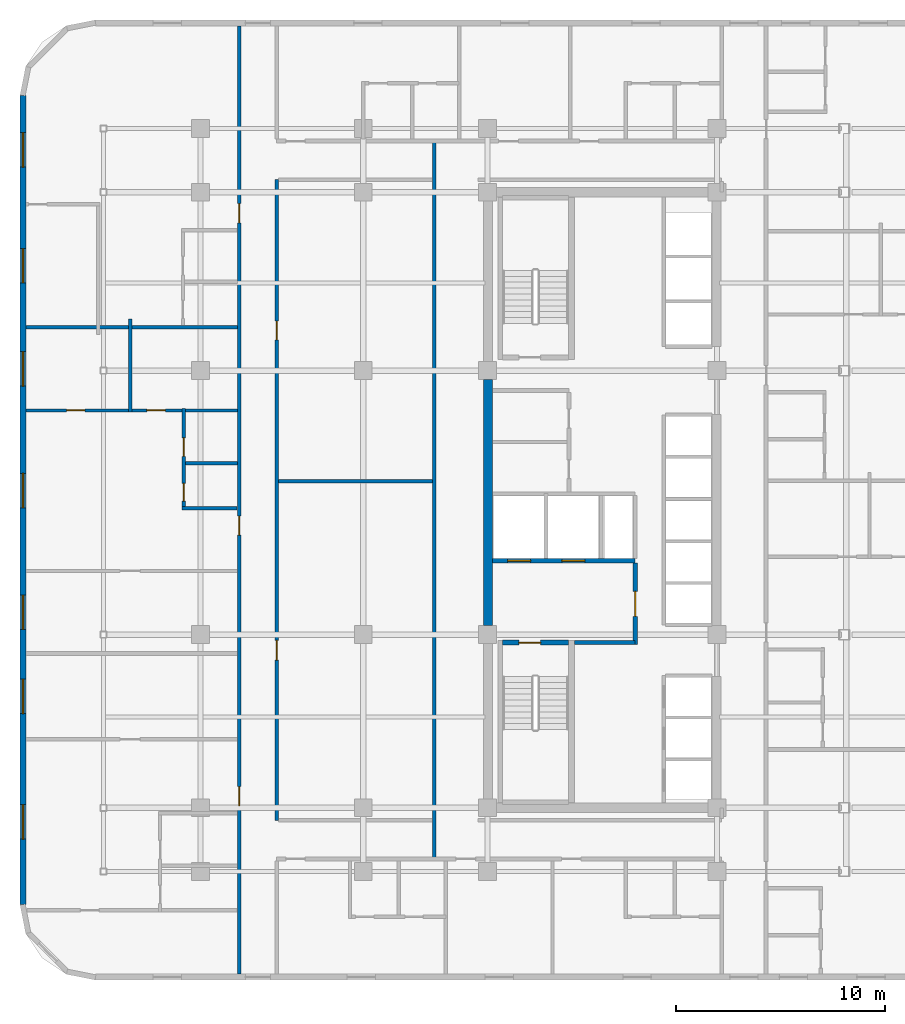
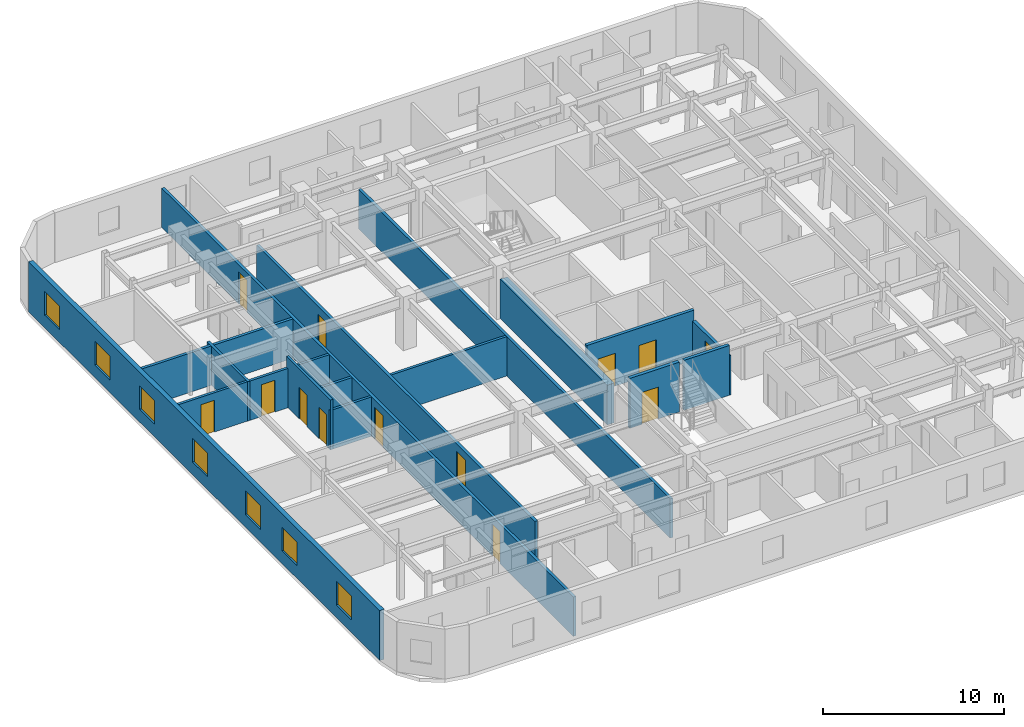
# One storey, part 7 of 12: 16 walls, 13 doors, 7 windows, 20 openings.
"""IFC4 building model written with IfcOpenShell, lengths in metres."""

from ifc_helpers import new_model, si_unit, direction, frame, frame_2d, origin, place, context, subcontext, project, spatial, rectangle, extrude, material, layer, layer_set, type_object, element, fill, save


model = new_model("IFC4")

# Units and contexts
model_context = context("Model", 3, precision=1e-05, world=origin(), true_north=direction((0.0, 1.0)))
body_context = subcontext(model_context, "Body", "Model", "MODEL_VIEW")
ifc_project = project(units=[si_unit("LENGTHUNIT", "METRE"), si_unit("AREAUNIT", "SQUARE_METRE"), si_unit("VOLUMEUNIT", "CUBIC_METRE"), si_unit("PLANEANGLEUNIT", "RADIAN"), si_unit("MASSUNIT", "GRAM", prefix="KILO")], contexts=[model_context])

# Site, building, storey
site_placement = place(None, origin())
site = spatial("IfcSite", under=ifc_project, at=site_placement, CompositionType="ELEMENT")
building_placement = place(site_placement, origin())
building = spatial("IfcBuilding", under=site, at=building_placement, Name="Ochreholt Gables", CompositionType="ELEMENT")
storey_placement = place(building_placement, frame((0.0, 0.0, 38.39990234375)))
storey = spatial("IfcBuildingStorey", under=building, at=storey_placement, Name="L09", CompositionType="ELEMENT", Elevation=38.39990234375)

# Wall
ifc_material_1 = material(Name="Concrete 60 MPa", Category="concrete")
ifc_layer_1 = layer(ifc_material_1, 0.449951171875, Name="Concrete 60 MPa")
ifc_layer_set_1 = layer_set([ifc_layer_1], Name="Concrete 60 MPa")
wall_type_1 = type_object("IfcWallType", Name="WALL-CSW-450", PredefinedType="SHEAR", material=ifc_layer_set_1)
wall_1_placement = place(storey_placement, frame((24.22509765625, 17.97509765625, 0.0), z_axis=(0.0, 0.0, 1.0), x_axis=(0.0, 1.0, 0.0)))
element("IfcWall", 1, at=wall_1_placement, inside=storey, type_object=wall_type_1, Name="L09 Core West Shear Wall WM", PredefinedType="SHEAR", context=body_context, shape_type="SweptSolid", body=[
    extrude(rectangle(XDim=11.7998046875, YDim=0.449951171875, at=frame_2d((5.89990234375, 0.0))), origin(), (0.0, 0.0, 1.0), 2.6669921875),
])

# Wall, openings, windows
ifc_material_2 = material(Name="Precast concrete 40 MPa", Category="concrete")
ifc_layer_2 = layer(ifc_material_2, 0.2900390625, Name="Precast concrete 40 MPa")
ifc_layer_set_2 = layer_set([ifc_layer_2], Name="Precast concrete 40 MPa")
wall_type_2 = type_object("IfcWallType", Name="WALL-EXT-290", PredefinedType="SOLIDWALL", material=ifc_layer_set_2)
wall_2_placement = place(storey_placement, frame((1.945068359375, 43.3798828125, 0.0), z_axis=(0.0, 0.0, 1.0), x_axis=(0.0, -1.0, 0.0)))
wall_2 = element("IfcWall", 2, at=wall_2_placement, inside=storey, type_object=wall_type_2, Name="L09 West Exterior Wall", PredefinedType="SOLIDWALL", context=body_context, shape_type="SweptSolid", body=[
    extrude(rectangle(XDim=38.759765625, YDim=0.2900390625, at=frame_2d((19.3798828125, 0.0))), origin(), (0.0, 0.0, 1.0), 3.360107421875),
])
opening_1_placement = place(wall_2_placement, frame((33.97509765625, 0.0, 0.85009765625)))
opening_1 = element("IfcOpeningElement", 3, at=opening_1_placement, cuts=wall_2, Name="Opening WN-7", PredefinedType="OPENING", context=body_context, shape_type="SweptSolid", body=[
    extrude(rectangle(XDim=1.64990234375, YDim=1.60009765625, at=frame_2d((0.824951171875, 0.800048828125))), frame((0.0, 0.155029296875, 0.0), z_axis=(0.0, -1.0, 0.0), x_axis=(1.0, 0.0, 0.0)), (0.0, 0.0, 1.0), 0.31005859375),
])
opening_2_placement = place(wall_2_placement, frame((27.965087890625, 0.0, 0.85009765625)))
opening_2 = element("IfcOpeningElement", 4, at=opening_2_placement, cuts=wall_2, Name="Opening WN-7", PredefinedType="OPENING", context=body_context, shape_type="SweptSolid", body=[
    extrude(rectangle(XDim=1.64990234375, YDim=1.60009765625, at=frame_2d((0.824951171875, 0.800048828125))), frame((0.0, 0.155029296875, 0.0), z_axis=(0.0, -1.0, 0.0), x_axis=(1.0, 0.0, 0.0)), (0.0, 0.0, 1.0), 0.31005859375),
])
opening_3_placement = place(wall_2_placement, frame((23.93408203125, 0.0, 0.85009765625)))
opening_3 = element("IfcOpeningElement", 5, at=opening_3_placement, cuts=wall_2, Name="Opening WN-7", PredefinedType="OPENING", context=body_context, shape_type="SweptSolid", body=[
    extrude(rectangle(XDim=1.64990234375, YDim=1.60009765625, at=frame_2d((0.824951171875, 0.800048828125))), frame((0.0, 0.155029296875, 0.0), z_axis=(0.0, -1.0, 0.0), x_axis=(1.0, 0.0, 0.0)), (0.0, 0.0, 1.0), 0.31005859375),
])
opening_4_placement = place(wall_2_placement, frame((18.109130859375, 0.0, 0.85009765625)))
opening_4 = element("IfcOpeningElement", 6, at=opening_4_placement, cuts=wall_2, Name="Opening WN-7", PredefinedType="OPENING", context=body_context, shape_type="SweptSolid", body=[
    extrude(rectangle(XDim=1.64990234375, YDim=1.60009765625, at=frame_2d((0.824951171875, 0.800048828125))), frame((0.0, 0.155029296875, 0.0), z_axis=(0.0, -1.0, 0.0), x_axis=(1.0, 0.0, 0.0)), (0.0, 0.0, 1.0), 0.31005859375),
])
opening_5_placement = place(wall_2_placement, frame((12.27001953125, 0.0, 0.85009765625)))
opening_5 = element("IfcOpeningElement", 7, at=opening_5_placement, cuts=wall_2, Name="Opening WN-7", PredefinedType="OPENING", context=body_context, shape_type="SweptSolid", body=[
    extrude(rectangle(XDim=1.64990234375, YDim=1.60009765625, at=frame_2d((0.824951171875, 0.800048828125))), frame((0.0, 0.155029296875, 0.0), z_axis=(0.0, -1.0, 0.0), x_axis=(1.0, 0.0, 0.0)), (0.0, 0.0, 1.0), 0.31005859375),
])
opening_6_placement = place(wall_2_placement, frame((7.330078125, 0.0, 0.85009765625)))
opening_6 = element("IfcOpeningElement", 8, at=opening_6_placement, cuts=wall_2, Name="Opening WN-7", PredefinedType="OPENING", context=body_context, shape_type="SweptSolid", body=[
    extrude(rectangle(XDim=1.64990234375, YDim=1.60009765625, at=frame_2d((0.824951171875, 0.800048828125))), frame((0.0, 0.155029296875, 0.0), z_axis=(0.0, -1.0, 0.0), x_axis=(1.0, 0.0, 0.0)), (0.0, 0.0, 1.0), 0.31005859375),
])
opening_7_placement = place(wall_2_placement, frame((1.780029296875, 0.0, 0.85009765625)))
opening_7 = element("IfcOpeningElement", 9, at=opening_7_placement, cuts=wall_2, Name="Opening WN-7", PredefinedType="OPENING", context=body_context, shape_type="SweptSolid", body=[
    extrude(rectangle(XDim=1.64990234375, YDim=1.60009765625, at=frame_2d((0.824951171875, 0.800048828125))), frame((0.0, 0.155029296875, 0.0), z_axis=(0.0, -1.0, 0.0), x_axis=(1.0, 0.0, 0.0)), (0.0, 0.0, 1.0), 0.31005859375),
])
ifc_material_3 = material(Name="Triple-Glazed Thermally Broken Aluminium Window", Category="aluminium")
window_type = type_object("IfcWindowType", Name="WIN-RES-1650", PartitioningType="SINGLE_PANEL", PredefinedType="WINDOW", material=ifc_material_3)
window_1_placement = place(opening_1_placement, origin())
window_1 = element("IfcWindow", 10, at=window_1_placement, inside=storey, type_object=window_type, Name="L09 Window W-EXT-W-L09-1", OverallHeight=1.60009765625, OverallWidth=1.64990234375, PartitioningType="SINGLE_PANEL", PredefinedType="WINDOW", context=body_context, shape_type="SweptSolid", body=[
    extrude(rectangle(XDim=1.64990234375, YDim=1.60009765625, at=frame_2d((0.824951171875, 0.800048828125))), frame((0.0, 0.030029296875, 0.0), z_axis=(0.0, -1.0, 0.0), x_axis=(1.0, 0.0, 0.0)), (0.0, 0.0, 1.0), 0.06005859375),
])
fill(opening_1, window_1)
window_2_placement = place(opening_2_placement, origin())
window_2 = element("IfcWindow", 11, at=window_2_placement, inside=storey, type_object=window_type, Name="L09 Window W-EXT-W-L09-2", OverallHeight=1.60009765625, OverallWidth=1.64990234375, PartitioningType="SINGLE_PANEL", PredefinedType="WINDOW", context=body_context, shape_type="SweptSolid", body=[
    extrude(rectangle(XDim=1.64990234375, YDim=1.60009765625, at=frame_2d((0.824951171875, 0.800048828125))), frame((0.0, 0.030029296875, 0.0), z_axis=(0.0, -1.0, 0.0), x_axis=(1.0, 0.0, 0.0)), (0.0, 0.0, 1.0), 0.06005859375),
])
fill(opening_2, window_2)
window_3_placement = place(opening_3_placement, origin())
window_3 = element("IfcWindow", 12, at=window_3_placement, inside=storey, type_object=window_type, Name="L09 Window W-EXT-W-L09-3", OverallHeight=1.60009765625, OverallWidth=1.64990234375, PartitioningType="SINGLE_PANEL", PredefinedType="WINDOW", context=body_context, shape_type="SweptSolid", body=[
    extrude(rectangle(XDim=1.64990234375, YDim=1.60009765625, at=frame_2d((0.824951171875, 0.800048828125))), frame((0.0, 0.030029296875, 0.0), z_axis=(0.0, -1.0, 0.0), x_axis=(1.0, 0.0, 0.0)), (0.0, 0.0, 1.0), 0.06005859375),
])
fill(opening_3, window_3)
window_4_placement = place(opening_4_placement, origin())
window_4 = element("IfcWindow", 13, at=window_4_placement, inside=storey, type_object=window_type, Name="L09 Window W-EXT-W-L09-4", OverallHeight=1.60009765625, OverallWidth=1.64990234375, PartitioningType="SINGLE_PANEL", PredefinedType="WINDOW", context=body_context, shape_type="SweptSolid", body=[
    extrude(rectangle(XDim=1.64990234375, YDim=1.60009765625, at=frame_2d((0.824951171875, 0.800048828125))), frame((0.0, 0.030029296875, 0.0), z_axis=(0.0, -1.0, 0.0), x_axis=(1.0, 0.0, 0.0)), (0.0, 0.0, 1.0), 0.06005859375),
])
fill(opening_4, window_4)
window_5_placement = place(opening_5_placement, origin())
window_5 = element("IfcWindow", 14, at=window_5_placement, inside=storey, type_object=window_type, Name="L09 Window W-EXT-W-L09-5", OverallHeight=1.60009765625, OverallWidth=1.64990234375, PartitioningType="SINGLE_PANEL", PredefinedType="WINDOW", context=body_context, shape_type="SweptSolid", body=[
    extrude(rectangle(XDim=1.64990234375, YDim=1.60009765625, at=frame_2d((0.824951171875, 0.800048828125))), frame((0.0, 0.030029296875, 0.0), z_axis=(0.0, -1.0, 0.0), x_axis=(1.0, 0.0, 0.0)), (0.0, 0.0, 1.0), 0.06005859375),
])
fill(opening_5, window_5)
window_6_placement = place(opening_6_placement, origin())
window_6 = element("IfcWindow", 15, at=window_6_placement, inside=storey, type_object=window_type, Name="L09 Window W-EXT-W-L09-6", OverallHeight=1.60009765625, OverallWidth=1.64990234375, PartitioningType="SINGLE_PANEL", PredefinedType="WINDOW", context=body_context, shape_type="SweptSolid", body=[
    extrude(rectangle(XDim=1.64990234375, YDim=1.60009765625, at=frame_2d((0.824951171875, 0.800048828125))), frame((0.0, 0.030029296875, 0.0), z_axis=(0.0, -1.0, 0.0), x_axis=(1.0, 0.0, 0.0)), (0.0, 0.0, 1.0), 0.06005859375),
])
fill(opening_6, window_6)
window_7_placement = place(opening_7_placement, origin())
window_7 = element("IfcWindow", 16, at=window_7_placement, inside=storey, type_object=window_type, Name="L09 Window W-EXT-W-L09-7", OverallHeight=1.60009765625, OverallWidth=1.64990234375, PartitioningType="SINGLE_PANEL", PredefinedType="WINDOW", context=body_context, shape_type="SweptSolid", body=[
    extrude(rectangle(XDim=1.64990234375, YDim=1.60009765625, at=frame_2d((0.824951171875, 0.800048828125))), frame((0.0, 0.030029296875, 0.0), z_axis=(0.0, -1.0, 0.0), x_axis=(1.0, 0.0, 0.0)), (0.0, 0.0, 1.0), 0.06005859375),
])
fill(opening_7, window_7)

# Wall, openings, doors
ifc_material_4 = material(Name="Concrete 40 MPa", Category="concrete")
ifc_layer_3 = layer(ifc_material_4, 0.199951171875, Name="Concrete 40 MPa")
ifc_layer_set_3 = layer_set([ifc_layer_3], Name="Concrete 40 MPa")
wall_type_3 = type_object("IfcWallType", Name="WALL-INT-CF200", PredefinedType="STANDARD", material=ifc_layer_set_3)
wall_3_placement = place(storey_placement, frame((24.449951171875, 21.090087890625, 0.0), z_axis=(0.0, 0.0, 1.0), x_axis=(1.0, 0.0, 0.0)))
wall_3 = element("IfcWall", 17, at=wall_3_placement, inside=storey, type_object=wall_type_3, Name="L09 Interior Wall WI-FFN-L09", PredefinedType="STANDARD", context=body_context, shape_type="SweptSolid", body=[
    extrude(rectangle(XDim=6.830078125, YDim=0.199951171875, at=frame_2d((3.4150390625, 0.0))), origin(), (0.0, 0.0, 1.0), 3.360107421875),
])
opening_8_placement = place(wall_3_placement, frame((0.719970703125, 0.0, 0.0)))
opening_8 = element("IfcOpeningElement", 18, at=opening_8_placement, cuts=wall_3, Name="Opening LD-FF", PredefinedType="OPENING", context=body_context, shape_type="SweptSolid", body=[
    extrude(rectangle(XDim=1.10009765625, YDim=2.199951171875, at=frame_2d((0.550048828125, 1.10009765625))), frame((0.0, 0.10986328125, 0.0), z_axis=(0.0, -1.0, 0.0), x_axis=(1.0, 0.0, 0.0)), (0.0, 0.0, 1.0), 0.219970703125),
])
opening_9_placement = place(wall_3_placement, frame((3.320068359375, 0.0, 0.0)))
opening_9 = element("IfcOpeningElement", 19, at=opening_9_placement, cuts=wall_3, Name="Opening LD-FF", PredefinedType="OPENING", context=body_context, shape_type="SweptSolid", body=[
    extrude(rectangle(XDim=1.10009765625, YDim=2.199951171875, at=frame_2d((0.550048828125, 1.10009765625))), frame((0.0, 0.10986328125, 0.0), z_axis=(0.0, -1.0, 0.0), x_axis=(1.0, 0.0, 0.0)), (0.0, 0.0, 1.0), 0.219970703125),
])
ifc_material_5 = material(Name="Stainless Steel", Category="steel")
door_type_1 = type_object("IfcDoorType", Name="DR-LFT-FF1100", OperationType="NOTDEFINED", PredefinedType="DOOR", material=ifc_material_5)
door_1_placement = place(opening_8_placement, origin())
door_1 = element("IfcDoor", 20, at=door_1_placement, inside=storey, type_object=door_type_1, Name="L09 Door LD-FF1-L09", OperationType="SLIDING_TO_LEFT", OverallHeight=2.199951171875, OverallWidth=1.10009765625, PredefinedType="DOOR", context=body_context, shape_type="SweptSolid", body=[
    extrude(rectangle(XDim=1.10009765625, YDim=2.199951171875, at=frame_2d((0.550048828125, 1.10009765625))), frame((0.0, 0.02490234375, 0.0), z_axis=(0.0, -1.0, 0.0), x_axis=(1.0, 0.0, 0.0)), (0.0, 0.0, 1.0), 0.050048828125),
])
fill(opening_8, door_1)
door_2_placement = place(opening_9_placement, origin())
door_2 = element("IfcDoor", 21, at=door_2_placement, inside=storey, type_object=door_type_1, Name="L09 Door LD-FF2-L09", OperationType="SLIDING_TO_LEFT", OverallHeight=2.199951171875, OverallWidth=1.10009765625, PredefinedType="DOOR", context=body_context, shape_type="SweptSolid", body=[
    extrude(rectangle(XDim=1.10009765625, YDim=2.199951171875, at=frame_2d((0.550048828125, 1.10009765625))), frame((0.0, 0.02490234375, 0.0), z_axis=(0.0, -1.0, 0.0), x_axis=(1.0, 0.0, 0.0)), (0.0, 0.0, 1.0), 0.050048828125),
])
fill(opening_9, door_2)

# Wall
wall_4_placement = place(storey_placement, frame((28.3798828125, 17.169921875, 0.0), z_axis=(0.0, 0.0, 1.0), x_axis=(1.0, 0.0, 0.0)))
element("IfcWall", 22, at=wall_4_placement, inside=storey, type_object=wall_type_3, Name="L09 Interior Wall WI-FFS-L09", PredefinedType="STANDARD", context=body_context, shape_type="SweptSolid", body=[
    extrude(rectangle(XDim=2.900146484375, YDim=0.199951171875, at=frame_2d((1.4501953125, 0.0))), origin(), (0.0, 0.0, 1.0), 3.360107421875),
])

# Wall, opening, door
wall_5_placement = place(storey_placement, frame((31.280029296875, 17.070068359375, 0.0), z_axis=(0.0, 0.0, 1.0), x_axis=(0.0, 1.0, 0.0)))
wall_5 = element("IfcWall", 23, at=wall_5_placement, inside=storey, type_object=wall_type_3, Name="L09 Interior Wall WI-FFE-L09", PredefinedType="STANDARD", context=body_context, shape_type="SweptSolid", body=[
    extrude(rectangle(XDim=3.919921875, YDim=0.199951171875, at=frame_2d((1.9599609375, 0.0))), origin(), (0.0, 0.0, 1.0), 2.649169921875),
])
opening_10_placement = place(wall_5_placement, frame((1.35009765625, 0.0, 0.0)))
opening_10 = element("IfcOpeningElement", 24, at=opening_10_placement, cuts=wall_5, Name="Opening D-FFL", PredefinedType="OPENING", context=body_context, shape_type="SweptSolid", body=[
    extrude(rectangle(XDim=1.199951171875, YDim=2.14990234375, at=frame_2d((0.60009765625, 1.074951171875))), frame((0.0, 0.10986328125, 0.0), z_axis=(0.0, -1.0, 0.0), x_axis=(1.0, 0.0, 0.0)), (0.0, 0.0, 1.0), 0.219970703125),
])
ifc_material_6 = material(Name="Hollow Metal Steel", Category="steel")
door_type_2 = type_object("IfcDoorType", Name="DR-INT-FFL1200", OperationType="NOTDEFINED", PredefinedType="DOOR", material=ifc_material_6)
door_3_placement = place(opening_10_placement, origin())
door_3 = element("IfcDoor", 25, at=door_3_placement, inside=storey, type_object=door_type_2, Name="L09 Door D-FFL-L09", OperationType="SINGLE_SWING_LEFT", OverallHeight=2.14990234375, OverallWidth=1.199951171875, PredefinedType="DOOR", context=body_context, shape_type="SweptSolid", body=[
    extrude(rectangle(XDim=1.199951171875, YDim=2.14990234375, at=frame_2d((0.60009765625, 1.074951171875))), frame((0.0, 0.02490234375, 0.0), z_axis=(0.0, -1.0, 0.0), x_axis=(1.0, 0.0, 0.0)), (0.0, 0.0, 1.0), 0.050048828125),
])
fill(opening_10, door_3)

# Wall
ifc_material_7 = material(Name="Fire-Rated Gypsum Acoustic Partition", Category="gypsum")
ifc_layer_4 = layer(ifc_material_7, 0.179931640625, Name="Fire-Rated Gypsum Acoustic Partition")
ifc_layer_set_4 = layer_set([ifc_layer_4], Name="Fire-Rated Gypsum Acoustic Partition")
wall_type_4 = type_object("IfcWallType", Name="WALL-INT-CR180", PredefinedType="STANDARD", material=ifc_layer_set_4)
wall_6_placement = place(storey_placement, frame((21.64990234375, 6.800048828125, 0.0), z_axis=(0.0, 0.0, 1.0), x_axis=(0.0, 1.0, 0.0)))
element("IfcWall", 26, at=wall_6_placement, inside=storey, type_object=wall_type_4, Name="L09 Interior Wall WI-C1W-L09", PredefinedType="STANDARD", context=body_context, shape_type="SweptSolid", body=[
    extrude(rectangle(XDim=34.39990234375, YDim=0.179931640625, at=frame_2d((17.199951171875, 0.0))), origin(), (0.0, 0.0, 1.0), 2.649169921875),
])

# Wall, openings, doors
wall_7_placement = place(storey_placement, frame((12.300048828125, 1.2900390625, 0.0), z_axis=(0.0, 0.0, 1.0), x_axis=(0.0, 1.0, 0.0)))
wall_7 = element("IfcWall", 27, at=wall_7_placement, inside=storey, type_object=wall_type_4, Name="L09 Interior Wall WI-C1WW-L09", PredefinedType="STANDARD", context=body_context, shape_type="SweptSolid", body=[
    extrude(rectangle(XDim=45.419921875, YDim=0.179931640625, at=frame_2d((22.7099609375, 0.0))), origin(), (0.0, 0.0, 1.0), 2.649169921875),
])
opening_11_placement = place(wall_7_placement, frame((8.06005859375, 0.0, 0.0)))
opening_11 = element("IfcOpeningElement", 28, at=opening_11_placement, cuts=wall_7, Name="Opening D-UN1", PredefinedType="OPENING", context=body_context, shape_type="SweptSolid", body=[
    extrude(rectangle(XDim=0.919921875, YDim=2.14990234375, at=frame_2d((0.4599609375, 1.074951171875))), frame((0.0, 0.099853515625, 0.0), z_axis=(0.0, -1.0, 0.0), x_axis=(1.0, 0.0, 0.0)), (0.0, 0.0, 1.0), 0.199951171875),
])
opening_12_placement = place(wall_7_placement, frame((21.021484375, 0.0, 0.0)))
opening_12 = element("IfcOpeningElement", 29, at=opening_12_placement, cuts=wall_7, Name="Opening D-UN1", PredefinedType="OPENING", context=body_context, shape_type="SweptSolid", body=[
    extrude(rectangle(XDim=0.919921875, YDim=2.14990234375, at=frame_2d((0.4599609375, 1.074951171875))), frame((0.0, 0.099853515625, 0.0), z_axis=(0.0, -1.0, 0.0), x_axis=(1.0, 0.0, 0.0)), (0.0, 0.0, 1.0), 0.199951171875),
])
opening_13_placement = place(wall_7_placement, frame((35.989990234375, 0.0, 0.0)))
opening_13 = element("IfcOpeningElement", 30, at=opening_13_placement, cuts=wall_7, Name="Opening D-UN1", PredefinedType="OPENING", context=body_context, shape_type="SweptSolid", body=[
    extrude(rectangle(XDim=0.919921875, YDim=2.14990234375, at=frame_2d((0.4599609375, 1.074951171875))), frame((0.0, 0.099853515625, 0.0), z_axis=(0.0, -1.0, 0.0), x_axis=(1.0, 0.0, 0.0)), (0.0, 0.0, 1.0), 0.199951171875),
])
ifc_material_8 = material(Name="Engineered Oak Timber", Category="wood")
door_type_3 = type_object("IfcDoorType", Name="DR-INT-UNT920", OperationType="NOTDEFINED", PredefinedType="DOOR", material=ifc_material_8)
door_4_placement = place(opening_11_placement, origin())
door_4 = element("IfcDoor", 31, at=door_4_placement, inside=storey, type_object=door_type_3, Name="L09 Door D-U-L09W1-ENT", OperationType="SINGLE_SWING_RIGHT", OverallHeight=2.14990234375, OverallWidth=0.919921875, PredefinedType="DOOR", context=body_context, shape_type="SweptSolid", body=[
    extrude(rectangle(XDim=0.919921875, YDim=2.14990234375, at=frame_2d((0.4599609375, 1.074951171875))), frame((0.0, 0.02490234375, 0.0), z_axis=(0.0, -1.0, 0.0), x_axis=(1.0, 0.0, 0.0)), (0.0, 0.0, 1.0), 0.050048828125),
])
fill(opening_11, door_4)
door_5_placement = place(opening_12_placement, origin())
door_5 = element("IfcDoor", 32, at=door_5_placement, inside=storey, type_object=door_type_3, Name="L09 Door D-U-L09W2-ENT", OperationType="SINGLE_SWING_LEFT", OverallHeight=2.14990234375, OverallWidth=0.919921875, PredefinedType="DOOR", context=body_context, shape_type="SweptSolid", body=[
    extrude(rectangle(XDim=0.919921875, YDim=2.14990234375, at=frame_2d((0.4599609375, 1.074951171875))), frame((0.0, 0.02490234375, 0.0), z_axis=(0.0, -1.0, 0.0), x_axis=(1.0, 0.0, 0.0)), (0.0, 0.0, 1.0), 0.050048828125),
])
fill(opening_12, door_5)
door_6_placement = place(opening_13_placement, origin())
door_6 = element("IfcDoor", 33, at=door_6_placement, inside=storey, type_object=door_type_3, Name="L09 Door D-U-L09W3-ENT", OperationType="SINGLE_SWING_RIGHT", OverallHeight=2.14990234375, OverallWidth=0.919921875, PredefinedType="DOOR", context=body_context, shape_type="SweptSolid", body=[
    extrude(rectangle(XDim=0.919921875, YDim=2.14990234375, at=frame_2d((0.4599609375, 1.074951171875))), frame((0.0, 0.02490234375, 0.0), z_axis=(0.0, -1.0, 0.0), x_axis=(1.0, 0.0, 0.0)), (0.0, 0.0, 1.0), 0.050048828125),
])
fill(opening_13, door_6)

wall_8_placement = place(storey_placement, frame((14.10009765625, 8.64990234375, 0.0), z_axis=(0.0, 0.0, 1.0), x_axis=(0.0, 1.0, 0.0)))
wall_8 = element("IfcWall", 34, at=wall_8_placement, inside=storey, type_object=wall_type_4, Name="L09 Interior Wall WI-C1WE-L09", PredefinedType="STANDARD", context=body_context, shape_type="SweptSolid", body=[
    extrude(rectangle(XDim=30.7001953125, YDim=0.179931640625, at=frame_2d((15.35009765625, 0.0))), origin(), (0.0, 0.0, 1.0), 2.649169921875),
])
opening_14_placement = place(wall_8_placement, frame((7.675048828125, 0.0, 0.0)))
opening_14 = element("IfcOpeningElement", 35, at=opening_14_placement, cuts=wall_8, Name="Opening D-GN1", PredefinedType="OPENING", context=body_context, shape_type="SweptSolid", body=[
    extrude(rectangle(XDim=0.949951171875, YDim=2.14990234375, at=frame_2d((0.47509765625, 1.074951171875))), frame((0.0, 0.099853515625, 0.0), z_axis=(0.0, -1.0, 0.0), x_axis=(1.0, 0.0, 0.0)), (0.0, 0.0, 1.0), 0.199951171875),
])
opening_15_placement = place(wall_8_placement, frame((23.02490234375, 0.0, 0.0)))
opening_15 = element("IfcOpeningElement", 36, at=opening_15_placement, cuts=wall_8, Name="Opening D-SV1", PredefinedType="OPENING", context=body_context, shape_type="SweptSolid", body=[
    extrude(rectangle(XDim=0.89990234375, YDim=2.10009765625, at=frame_2d((0.449951171875, 1.050048828125))), frame((0.0, 0.099853515625, 0.0), z_axis=(0.0, -1.0, 0.0), x_axis=(1.0, 0.0, 0.0)), (0.0, 0.0, 1.0), 0.199951171875),
])
door_type_4 = type_object("IfcDoorType", Name="DR-INT-GEN950", OperationType="NOTDEFINED", PredefinedType="DOOR", material=ifc_material_8)
door_7_placement = place(opening_14_placement, origin())
door_7 = element("IfcDoor", 37, at=door_7_placement, inside=storey, type_object=door_type_4, Name="L09 Door D-C1IW1-L09", OperationType="SINGLE_SWING_LEFT", OverallHeight=2.14990234375, OverallWidth=0.949951171875, PredefinedType="DOOR", context=body_context, shape_type="SweptSolid", body=[
    extrude(rectangle(XDim=0.949951171875, YDim=2.14990234375, at=frame_2d((0.47509765625, 1.074951171875))), frame((0.0, 0.02490234375, 0.0), z_axis=(0.0, -1.0, 0.0), x_axis=(1.0, 0.0, 0.0)), (0.0, 0.0, 1.0), 0.050048828125),
])
fill(opening_14, door_7)
door_type_5 = type_object("IfcDoorType", Name="DR-INT-SRV900", OperationType="NOTDEFINED", PredefinedType="DOOR", material=ifc_material_6)
door_8_placement = place(opening_15_placement, origin())
door_8 = element("IfcDoor", 38, at=door_8_placement, inside=storey, type_object=door_type_5, Name="L09 Door D-C1IW2-L09", OperationType="SINGLE_SWING_RIGHT", OverallHeight=2.10009765625, OverallWidth=0.89990234375, PredefinedType="DOOR", context=body_context, shape_type="SweptSolid", body=[
    extrude(rectangle(XDim=0.89990234375, YDim=2.10009765625, at=frame_2d((0.449951171875, 1.050048828125))), frame((0.0, 0.02490234375, 0.0), z_axis=(0.0, -1.0, 0.0), x_axis=(1.0, 0.0, 0.0)), (0.0, 0.0, 1.0), 0.050048828125),
])
fill(opening_15, door_8)

# Walls
ifc_material_9 = material(Name="Double-Stud Acoustic Demising Wall", Category="gypsum")
ifc_layer_5 = layer(ifc_material_9, 0.179931640625, Name="Double-Stud Acoustic Demising Wall")
ifc_layer_set_5 = layer_set([ifc_layer_5], Name="Double-Stud Acoustic Demising Wall")
wall_type_5 = type_object("IfcWallType", Name="WALL-INT-DM180", PredefinedType="PARTITIONING", material=ifc_layer_set_5)
wall_9_placement = place(storey_placement, frame((2.090087890625, 32.280029296875, 0.0), z_axis=(0.0, 0.0, 1.0), x_axis=(1.0, 0.0, 0.0)))
element("IfcWall", 39, at=wall_9_placement, inside=storey, type_object=wall_type_5, Name="L09 Interior Wall WI-UDW3-L09", PredefinedType="PARTITIONING", context=body_context, shape_type="SweptSolid", body=[
    extrude(rectangle(XDim=10.119873046875, YDim=0.179931640625, at=frame_2d((5.06005859375, 0.0))), origin(), (0.0, 0.0, 1.0), 2.649169921875),
])
ifc_material_10 = material(Name="Moisture-Resistant Plumbing Chase Wall", Category="gypsum")
ifc_layer_6 = layer(ifc_material_10, 0.159912109375, Name="Moisture-Resistant Plumbing Chase Wall")
ifc_layer_set_6 = layer_set([ifc_layer_6], Name="Moisture-Resistant Plumbing Chase Wall")
wall_type_6 = type_object("IfcWallType", Name="WALL-INT-PL160", PredefinedType="PLUMBINGWALL", material=ifc_layer_set_6)
wall_10_placement = place(storey_placement, frame((9.573974609375, 23.611572265625, 0.0), z_axis=(0.0, 0.0, 1.0), x_axis=(1.0, 0.0, 0.0)))
element("IfcWall", 40, at=wall_10_placement, inside=storey, type_object=wall_type_6, Name="L09 Interior Wall WU-L09W2-FYS", PredefinedType="PLUMBINGWALL", context=body_context, shape_type="SweptSolid", body=[
    extrude(rectangle(XDim=2.635986328125, YDim=0.159912109375, at=frame_2d((1.31787109375, 0.0))), origin(), (0.0, 0.0, 1.0), 2.649169921875),
])

# Wall, openings, doors
wall_11_placement = place(storey_placement, frame((9.654052734375, 23.521484375, 0.0), z_axis=(0.0, 0.0, 1.0), x_axis=(0.0, 1.0, 0.0)))
wall_11 = element("IfcWall", 41, at=wall_11_placement, inside=storey, type_object=wall_type_6, Name="L09 Interior Wall WU-L09W2-WX", PredefinedType="PLUMBINGWALL", context=body_context, shape_type="SweptSolid", body=[
    extrude(rectangle(XDim=4.8583984375, YDim=0.159912109375, at=frame_2d((2.42919921875, 0.0))), origin(), (0.0, 0.0, 1.0), 3.360107421875),
])
opening_16_placement = place(wall_11_placement, frame((0.419921875, 0.0, 0.0)))
opening_16 = element("IfcOpeningElement", 42, at=opening_16_placement, cuts=wall_11, Name="Opening D-BT1", PredefinedType="OPENING", context=body_context, shape_type="SweptSolid", body=[
    extrude(rectangle(XDim=0.860107421875, YDim=2.1201171875, at=frame_2d((0.43017578125, 1.06005859375))), frame((0.0, 0.08984375, 0.0), z_axis=(0.0, -1.0, 0.0), x_axis=(1.0, 0.0, 0.0)), (0.0, 0.0, 1.0), 0.179931640625),
])
opening_17_placement = place(wall_11_placement, frame((2.572021484375, 0.0, 0.0)))
opening_17 = element("IfcOpeningElement", 43, at=opening_17_placement, cuts=wall_11, Name="Opening D-GN2", PredefinedType="OPENING", context=body_context, shape_type="SweptSolid", body=[
    extrude(rectangle(XDim=0.8798828125, YDim=2.1201171875, at=frame_2d((0.43994140625, 1.06005859375))), frame((0.0, 0.08984375, 0.0), z_axis=(0.0, -1.0, 0.0), x_axis=(1.0, 0.0, 0.0)), (0.0, 0.0, 1.0), 0.179931640625),
])
door_type_6 = type_object("IfcDoorType", Name="DR-INT-BTH860", OperationType="NOTDEFINED", PredefinedType="DOOR", material=ifc_material_8)
door_9_placement = place(opening_16_placement, origin())
door_9 = element("IfcDoor", 44, at=door_9_placement, inside=storey, type_object=door_type_6, Name="L09 Door D-U-L09W2-BTH", OperationType="SINGLE_SWING_RIGHT", OverallHeight=2.1201171875, OverallWidth=0.860107421875, PredefinedType="DOOR", context=body_context, shape_type="SweptSolid", body=[
    extrude(rectangle(XDim=0.860107421875, YDim=2.1201171875, at=frame_2d((0.43017578125, 1.06005859375))), frame((0.0, 0.02490234375, 0.0), z_axis=(0.0, -1.0, 0.0), x_axis=(1.0, 0.0, 0.0)), (0.0, 0.0, 1.0), 0.050048828125),
])
fill(opening_16, door_9)
door_type_7 = type_object("IfcDoorType", Name="DR-INT-GEN880", OperationType="NOTDEFINED", PredefinedType="DOOR", material=ifc_material_8)
door_10_placement = place(opening_17_placement, origin())
door_10 = element("IfcDoor", 45, at=door_10_placement, inside=storey, type_object=door_type_7, Name="L09 Door D-U-L09W2-KIT", OperationType="SINGLE_SWING_LEFT", OverallHeight=2.1201171875, OverallWidth=0.8798828125, PredefinedType="DOOR", context=body_context, shape_type="SweptSolid", body=[
    extrude(rectangle(XDim=0.8798828125, YDim=2.1201171875, at=frame_2d((0.43994140625, 1.06005859375))), frame((0.0, 0.02490234375, 0.0), z_axis=(0.0, -1.0, 0.0), x_axis=(1.0, 0.0, 0.0)), (0.0, 0.0, 1.0), 0.050048828125),
])
fill(opening_17, door_10)

# Wall
wall_12_placement = place(storey_placement, frame((9.73388671875, 25.763671875, 0.0), z_axis=(0.0, 0.0, 1.0), x_axis=(1.0, 0.0, 0.0)))
element("IfcWall", 46, at=wall_12_placement, inside=storey, type_object=wall_type_6, Name="L09 Interior Wall WU-L09W2-WK", PredefinedType="PLUMBINGWALL", context=body_context, shape_type="SweptSolid", body=[
    extrude(rectangle(XDim=2.47607421875, YDim=0.159912109375, at=frame_2d((1.238037109375, 0.0))), origin(), (0.0, 0.0, 1.0), 2.649169921875),
])

# Wall, openings, doors
ifc_material_11 = material(Name="Gypsum Acoustic Stud Partition", Category="gypsum")
ifc_layer_7 = layer(ifc_material_11, 0.159912109375, Name="Gypsum Acoustic Stud Partition")
ifc_layer_set_7 = layer_set([ifc_layer_7], Name="Gypsum Acoustic Stud Partition")
wall_type_7 = type_object("IfcWallType", Name="WALL-INT-PT160", PredefinedType="PARTITIONING", material=ifc_layer_set_7)
wall_13_placement = place(storey_placement, frame((2.090087890625, 28.2900390625, 0.0), z_axis=(0.0, 0.0, 1.0), x_axis=(1.0, 0.0, 0.0)))
wall_13 = element("IfcWall", 47, at=wall_13_placement, inside=storey, type_object=wall_type_7, Name="L09 Interior Wall WU-L09W2-MN", PredefinedType="PARTITIONING", context=body_context, shape_type="SweptSolid", body=[
    extrude(rectangle(XDim=10.119873046875, YDim=0.159912109375, at=frame_2d((5.06005859375, 0.0))), origin(), (0.0, 0.0, 1.0), 2.649169921875),
])
opening_18_placement = place(wall_13_placement, frame((1.93994140625, 0.0, 0.0)))
opening_18 = element("IfcOpeningElement", 48, at=opening_18_placement, cuts=wall_13, Name="Opening D-BD2", PredefinedType="OPENING", context=body_context, shape_type="SweptSolid", body=[
    extrude(rectangle(XDim=0.8798828125, YDim=2.139892578125, at=frame_2d((0.43994140625, 1.06982421875))), frame((0.0, 0.08984375, 0.0), z_axis=(0.0, -1.0, 0.0), x_axis=(1.0, 0.0, 0.0)), (0.0, 0.0, 1.0), 0.179931640625),
])
opening_19_placement = place(wall_13_placement, frame((5.7919921875, 0.0, 0.0)))
opening_19 = element("IfcOpeningElement", 49, at=opening_19_placement, cuts=wall_13, Name="Opening D-BD2", PredefinedType="OPENING", context=body_context, shape_type="SweptSolid", body=[
    extrude(rectangle(XDim=0.8798828125, YDim=2.139892578125, at=frame_2d((0.43994140625, 1.06982421875))), frame((0.0, 0.08984375, 0.0), z_axis=(0.0, -1.0, 0.0), x_axis=(1.0, 0.0, 0.0)), (0.0, 0.0, 1.0), 0.179931640625),
])
door_type_8 = type_object("IfcDoorType", Name="DR-INT-BED880", OperationType="NOTDEFINED", PredefinedType="DOOR", material=ifc_material_8)
door_11_placement = place(opening_18_placement, origin())
door_11 = element("IfcDoor", 50, at=door_11_placement, inside=storey, type_object=door_type_8, Name="L09 Door D-U-L09W2-BD1", OperationType="SINGLE_SWING_LEFT", OverallHeight=2.139892578125, OverallWidth=0.8798828125, PredefinedType="DOOR", context=body_context, shape_type="SweptSolid", body=[
    extrude(rectangle(XDim=0.8798828125, YDim=2.139892578125, at=frame_2d((0.43994140625, 1.06982421875))), frame((0.0, 0.02490234375, 0.0), z_axis=(0.0, -1.0, 0.0), x_axis=(1.0, 0.0, 0.0)), (0.0, 0.0, 1.0), 0.050048828125),
])
fill(opening_18, door_11)
door_12_placement = place(opening_19_placement, origin())
door_12 = element("IfcDoor", 51, at=door_12_placement, inside=storey, type_object=door_type_8, Name="L09 Door D-U-L09W2-BD2", OperationType="SINGLE_SWING_RIGHT", OverallHeight=2.139892578125, OverallWidth=0.8798828125, PredefinedType="DOOR", context=body_context, shape_type="SweptSolid", body=[
    extrude(rectangle(XDim=0.8798828125, YDim=2.139892578125, at=frame_2d((0.43994140625, 1.06982421875))), frame((0.0, 0.02490234375, 0.0), z_axis=(0.0, -1.0, 0.0), x_axis=(1.0, 0.0, 0.0)), (0.0, 0.0, 1.0), 0.050048828125),
])
fill(opening_19, door_12)

# Walls
wall_14_placement = place(storey_placement, frame((7.080078125, 28.2099609375, 0.0), z_axis=(0.0, 0.0, 1.0), x_axis=(0.0, 1.0, 0.0)))
element("IfcWall", 52, at=wall_14_placement, inside=storey, type_object=wall_type_7, Name="L09 Interior Wall WU-L09W2-BSD", PredefinedType="PARTITIONING", context=body_context, shape_type="SweptSolid", body=[
    extrude(rectangle(XDim=4.4599609375, YDim=0.159912109375, at=frame_2d((2.22998046875, 0.0))), origin(), (0.0, 0.0, 1.0), 2.649169921875),
])
wall_15_placement = place(storey_placement, frame((14.18994140625, 24.89990234375, 0.0), z_axis=(0.0, 0.0, 1.0), x_axis=(1.0, 0.0, 0.0)))
element("IfcWall", 53, at=wall_15_placement, inside=storey, type_object=wall_type_7, Name="L09 Interior Wall WI-UDWI1-L09", PredefinedType="PARTITIONING", context=body_context, shape_type="SweptSolid", body=[
    extrude(rectangle(XDim=7.3701171875, YDim=0.159912109375, at=frame_2d((3.68505859375, 0.0))), origin(), (0.0, 0.0, 1.0), 2.649169921875),
])

# Wall, opening, door
ifc_material_12 = material(Name="Concrete 50 MPa", Category="concrete")
ifc_layer_8 = layer(ifc_material_12, 0.219970703125, Name="Concrete 50 MPa")
ifc_layer_set_8 = layer_set([ifc_layer_8], Name="Concrete 50 MPa")
wall_type_8 = type_object("IfcWallType", Name="WALL-STW-220", PredefinedType="SHEAR", material=ifc_layer_set_8)
wall_16_placement = place(storey_placement, frame((24.919921875, 17.169921875, 0.0), z_axis=(0.0, 0.0, 1.0), x_axis=(1.0, 0.0, 0.0)))
wall_16 = element("IfcWall", 54, at=wall_16_placement, inside=storey, type_object=wall_type_8, Name="L09 Exit Stair 1 North Wall", PredefinedType="SHEAR", context=body_context, shape_type="SweptSolid", body=[
    extrude(rectangle(XDim=3.16015625, YDim=0.219970703125, at=frame_2d((1.580078125, 0.0))), origin(), (0.0, 0.0, 1.0), 3.360107421875),
])
opening_20_placement = place(wall_16_placement, frame((0.780029296875, 0.0, 0.0)))
opening_20 = element("IfcOpeningElement", 55, at=opening_20_placement, cuts=wall_16, Name="Opening D-STC", PredefinedType="OPENING", context=body_context, shape_type="SweptSolid", body=[
    extrude(rectangle(XDim=1.050048828125, YDim=2.14990234375, at=frame_2d((0.52490234375, 1.074951171875))), frame((0.0, 0.119873046875, 0.0), z_axis=(0.0, -1.0, 0.0), x_axis=(1.0, 0.0, 0.0)), (0.0, 0.0, 1.0), 0.239990234375),
])
door_type_9 = type_object("IfcDoorType", Name="DR-INT-ST1050", OperationType="NOTDEFINED", PredefinedType="DOOR", material=ifc_material_6)
door_13_placement = place(opening_20_placement, frame((1.050048828125, 0.0, 0.0), z_axis=(0.0, 0.0, 1.0), x_axis=(-1.0, 0.0, 0.0)))
door_13 = element("IfcDoor", 56, at=door_13_placement, inside=storey, type_object=door_type_9, Name="L09 Door D-ST1-L09", OperationType="SINGLE_SWING_LEFT", OverallHeight=2.14990234375, OverallWidth=1.050048828125, PredefinedType="DOOR", context=body_context, shape_type="SweptSolid", body=[
    extrude(rectangle(XDim=1.050048828125, YDim=2.14990234375, at=frame_2d((0.52490234375, 1.074951171875))), frame((0.0, 0.02490234375, 0.0), z_axis=(0.0, -1.0, 0.0), x_axis=(1.0, 0.0, 0.0)), (0.0, 0.0, 1.0), 0.050048828125),
])
fill(opening_20, door_13)

save(model, "model.ifc")
